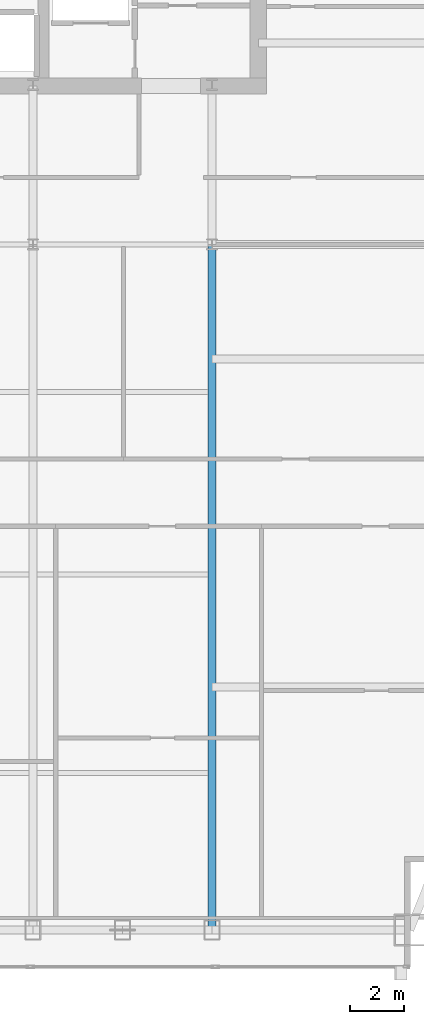
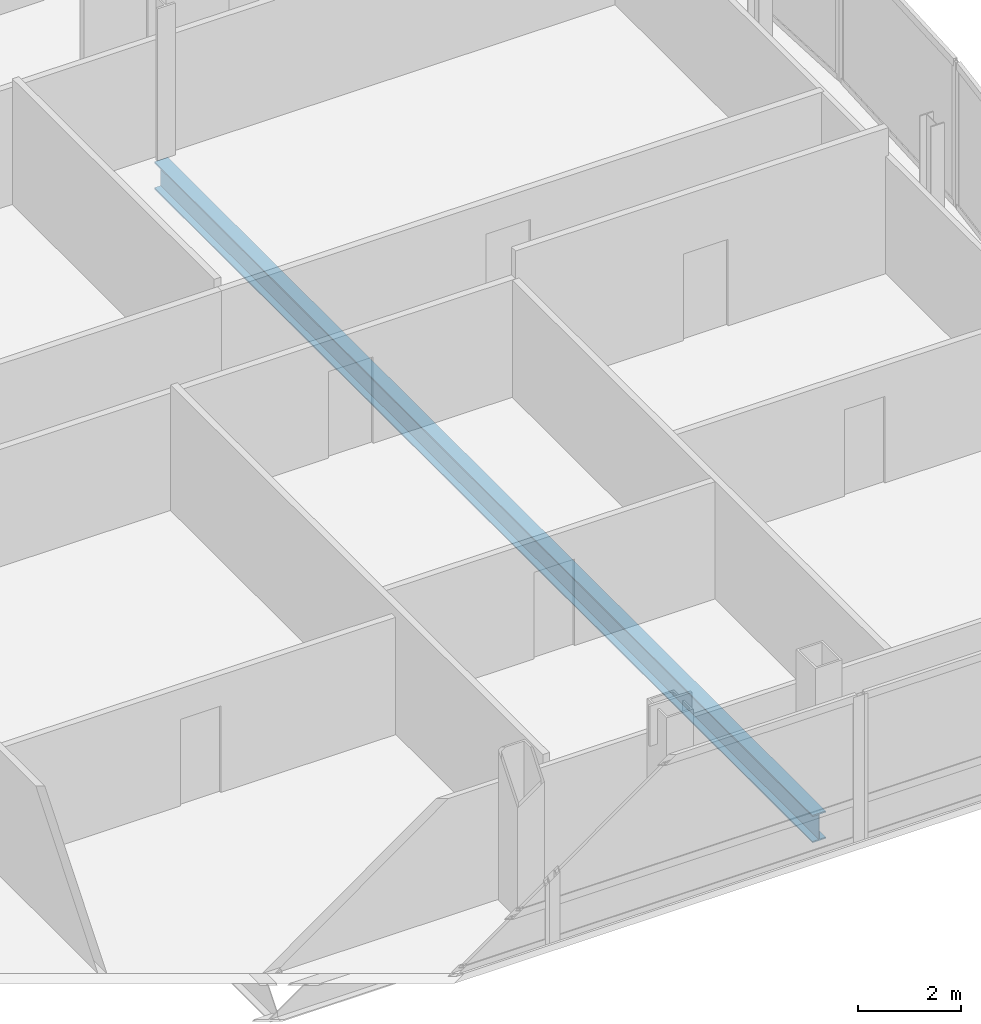
# One storey, part 17 of 32: 1 beam.
"""IFC4 building model written with IfcOpenShell, lengths in metres."""

from ifc_helpers import new_model, si_unit, direction, frame, origin, origin_2d, place, context, subcontext, project, spatial, i_section, extrude, material, material_profile, profile_set, type_object, element, save


model = new_model("IFC4")

# Units and contexts
model_context = context("Model", 3, precision=1e-05, world=origin(), true_north=direction((0.0, 1.0)))
body_context = subcontext(model_context, "Body", "Model", "MODEL_VIEW")
ifc_project = project(units=[si_unit("LENGTHUNIT", "METRE"), si_unit("AREAUNIT", "SQUARE_METRE"), si_unit("VOLUMEUNIT", "CUBIC_METRE"), si_unit("PLANEANGLEUNIT", "RADIAN"), si_unit("MASSUNIT", "GRAM", prefix="KILO")], contexts=[model_context])

# Site, building, storey
site_placement = place(None, origin())
site = spatial("IfcSite", under=ifc_project, at=site_placement, CompositionType="ELEMENT")
building_placement = place(site_placement, origin())
building = spatial("IfcBuilding", under=site, at=building_placement, Name="Khoronbel Lancet Exchange", CompositionType="ELEMENT")
storey_placement = place(building_placement, frame((0.0, 0.0, 228.199951171875)))
storey = spatial("IfcBuildingStorey", under=building, at=storey_placement, Name="L58", CompositionType="ELEMENT", Elevation=228.199951171875)

# Beam
ifc_material = material(Name="Steel S355", Category="steel")
ifc_material_profile = material_profile(ifc_material, i_section(OverallWidth=0.300048828125, OverallDepth=0.64990234375, WebThickness=0.01611328125, FlangeThickness=0.031005859375, at=origin_2d()), Name="HEB 650")
ifc_profile_set = profile_set([ifc_material_profile], Name="Steel S355")
beam_type = type_object("IfcBeamType", Name="BM-BG4", PredefinedType="BEAM", material=ifc_profile_set)
beam_placement = place(storey_placement, frame((54.675048828125, 10.14990234375, -0.48486328125), z_axis=(0.0, 1.0, 0.0), x_axis=(-1.0, 0.0, 0.0)))
element("IfcBeam", 1, at=beam_placement, inside=storey, type_object=beam_type, Name="Level L58 south primary girder GS6", PredefinedType="BEAM", context=body_context, shape_type="SweptSolid", body=[
    extrude(i_section(OverallWidth=0.300048828125, OverallDepth=0.64990234375, WebThickness=0.01611328125, FlangeThickness=0.031005859375, at=origin_2d()), origin(), (0.0, 0.0, 1.0), 25.550048828125),
])

save(model, "model.ifc")
